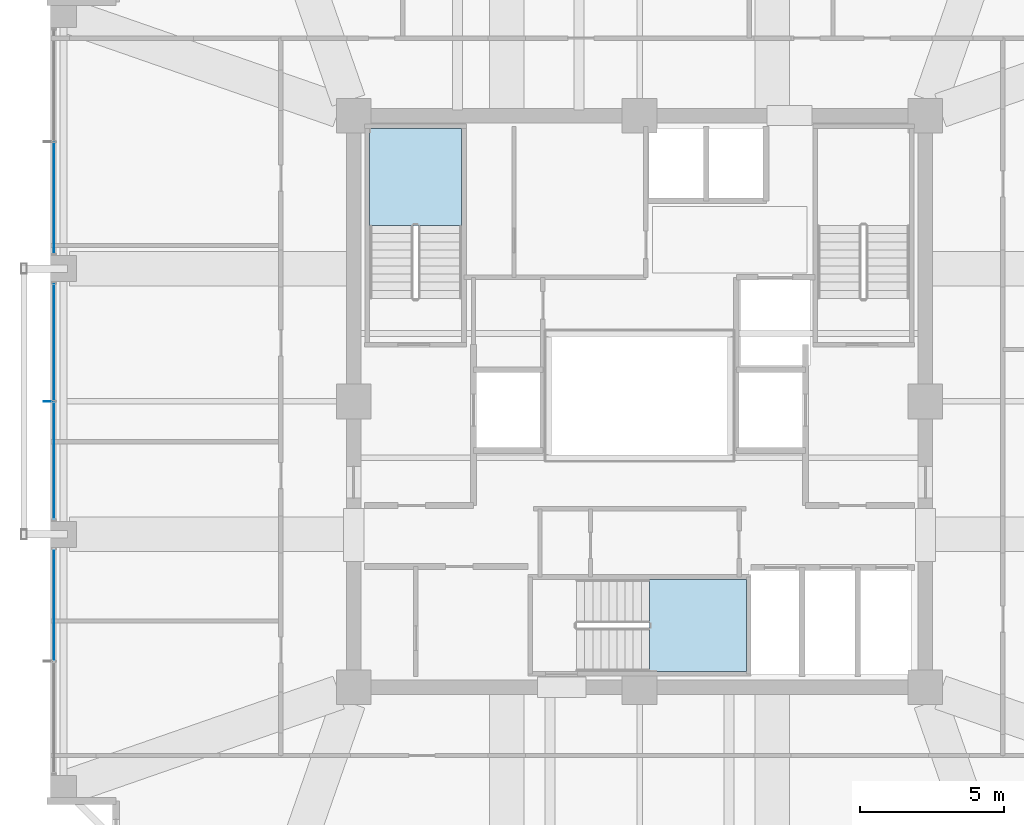
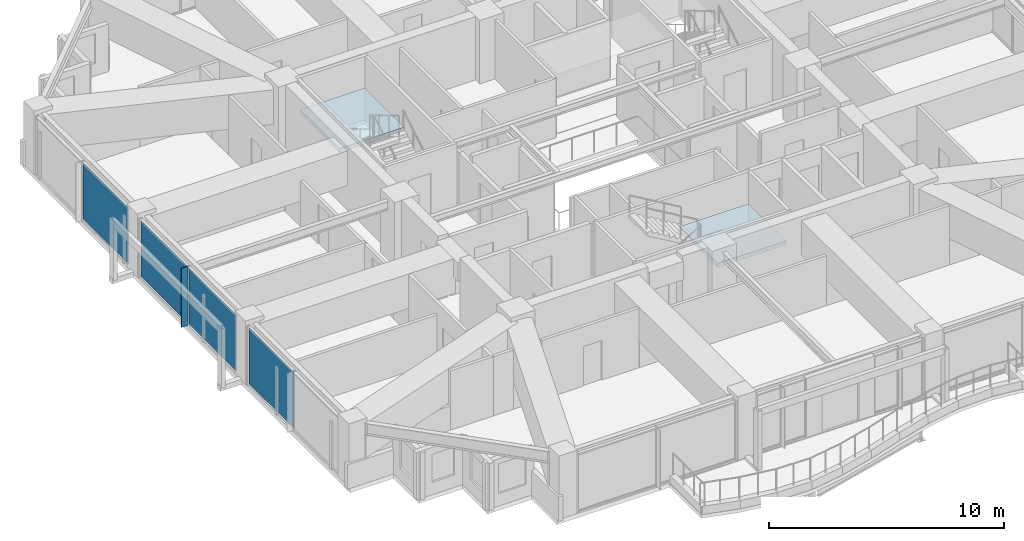
# One storey, part 26 of 37: 5 plates, 2 slabs, 5 elements without a shape of their own.
"""IFC4 building model written with IfcOpenShell, lengths in metres."""

from ifc_helpers import new_model, si_unit, direction, frame, origin, origin_2d, place, context, subcontext, project, spatial, polyline, rectangle, outline, extrude, material, layer, layer_set, type_object, element, aggregate, save


model = new_model("IFC4")

# Units and contexts
model_context = context("Model", 3, precision=1e-05, world=origin(), true_north=direction((0.0, 1.0)))
body_context = subcontext(model_context, "Body", "Model", "MODEL_VIEW")
ifc_project = project(units=[si_unit("LENGTHUNIT", "METRE"), si_unit("AREAUNIT", "SQUARE_METRE"), si_unit("VOLUMEUNIT", "CUBIC_METRE"), si_unit("PLANEANGLEUNIT", "RADIAN"), si_unit("MASSUNIT", "GRAM", prefix="KILO")], contexts=[model_context])

# Site, building, storey
site_placement = place(None, origin())
site = spatial("IfcSite", under=ifc_project, at=site_placement, CompositionType="ELEMENT")
building_placement = place(site_placement, origin())
building = spatial("IfcBuilding", under=site, at=building_placement, Name="Kolvaren Belvedere", CompositionType="ELEMENT")
storey_placement = place(building_placement, frame((0.0, 0.0, 186.60009765625)))
storey = spatial("IfcBuildingStorey", under=building, at=storey_placement, Name="L54", CompositionType="ELEMENT", Elevation=186.60009765625)

# Curtain wall, plate
ifc_material_1 = material(Name="Anodised pale-metal aluminium AA 6063-T6", Category="aluminium")
curtain_wall_type = type_object("IfcCurtainWallType", Name="CW-Z5-HIGH", PredefinedType="NOTDEFINED", material=ifc_material_1)
curtain_wall_1_placement = place(storey_placement, origin())
curtain_wall_1 = element("IfcCurtainWall", 1, at=curtain_wall_1_placement, inside=storey, type_object=curtain_wall_type, Name="L54 Unitised Curtain Wall FCW-L54-W-B1", PredefinedType="NOTDEFINED")
ifc_material_2 = material(Name="Low-iron triple insulated glass", Category="glass")
ifc_layer_1 = layer(ifc_material_2, 0.028076171875)
ifc_layer_set_1 = layer_set([ifc_layer_1], Name="Low-iron triple insulated glass")
plate_type_1 = type_object("IfcPlateType", Name="CW-PNL-VIS28", PredefinedType="CURTAIN_PANEL", material=ifc_layer_set_1)
plate_1_placement = place(storey_placement, frame((-20.280029296875, -7.052490234375, 0.079833984375), z_axis=(0.0, 0.0, 1.0), x_axis=(0.0, 1.0, 0.0)))
plate_1 = element("IfcPlate", 2, at=plate_1_placement, type_object=plate_type_1, Name="FCW-L54-W-B1 Vision Glazing Panel 2", PredefinedType="CURTAIN_PANEL", context=body_context, shape_type="SweptSolid", body=[
    extrude(rectangle(XDim=3.81494140625, YDim=0.028076171875, at=origin_2d()), origin(), (0.0, 0.0, 1.0), 2.919921875),
])
aggregate(curtain_wall_1, [plate_1])

# Curtain wall, plates
curtain_wall_2_placement = place(storey_placement, origin())
curtain_wall_2 = element("IfcCurtainWall", 3, at=curtain_wall_2_placement, inside=storey, type_object=curtain_wall_type, Name="L54 Unitised Curtain Wall FCW-L54-W-B2", PredefinedType="NOTDEFINED")
plate_2_placement = place(storey_placement, frame((-20.280029296875, -2.047607421875, 0.079833984375), z_axis=(0.0, 0.0, 1.0), x_axis=(0.0, 1.0, 0.0)))
plate_2 = element("IfcPlate", 4, at=plate_2_placement, type_object=plate_type_1, Name="FCW-L54-W-B2 Vision Glazing Panel 1", PredefinedType="CURTAIN_PANEL", context=body_context, shape_type="SweptSolid", body=[
    extrude(rectangle(XDim=4.014892578125, YDim=0.028076171875, at=origin_2d()), origin(), (0.0, 0.0, 1.0), 2.919921875),
])
plate_3_placement = place(storey_placement, frame((-20.280029296875, 2.047607421875, 0.079833984375), z_axis=(0.0, 0.0, 1.0), x_axis=(0.0, 1.0, 0.0)))
plate_3 = element("IfcPlate", 5, at=plate_3_placement, type_object=plate_type_1, Name="FCW-L54-W-B2 Vision Glazing Panel 2", PredefinedType="CURTAIN_PANEL", context=body_context, shape_type="SweptSolid", body=[
    extrude(rectangle(XDim=4.014892578125, YDim=0.028076171875, at=origin_2d()), origin(), (0.0, 0.0, 1.0), 2.919921875),
])
aggregate(curtain_wall_2, [plate_2, plate_3])

# Curtain wall, plate
curtain_wall_3_placement = place(storey_placement, origin())
curtain_wall_3 = element("IfcCurtainWall", 6, at=curtain_wall_3_placement, inside=storey, type_object=curtain_wall_type, Name="L54 Unitised Curtain Wall FCW-L54-W-B3", PredefinedType="NOTDEFINED")
plate_4_placement = place(storey_placement, frame((-20.280029296875, 7.052490234375, 0.079833984375), z_axis=(0.0, 0.0, 1.0), x_axis=(0.0, 1.0, 0.0)))
plate_4 = element("IfcPlate", 7, at=plate_4_placement, type_object=plate_type_1, Name="FCW-L54-W-B3 Vision Glazing Panel 1", PredefinedType="CURTAIN_PANEL", context=body_context, shape_type="SweptSolid", body=[
    extrude(rectangle(XDim=3.81494140625, YDim=0.028076171875, at=origin_2d()), origin(), (0.0, 0.0, 1.0), 2.919921875),
])
aggregate(curtain_wall_3, [plate_4])

# Plate
ifc_material_3 = material(Name="Anodised pale-metal aluminium AA 6063-T6", Category="aluminium")
ifc_layer_2 = layer(ifc_material_3, 0.030029296875)
ifc_layer_set_2 = layer_set([ifc_layer_2], Name="Anodised pale-metal aluminium AA 6063-T6")
plate_type_2 = type_object("IfcPlateType", Name="FIN-VERT-300", PredefinedType="USERDEFINED", material=ifc_layer_set_2)
plate_5_placement = place(storey_placement, frame((-20.489990234375, 0.0, -0.000244140625), z_axis=(0.0, 0.0, 1.0), x_axis=(1.0, 0.0, 0.0)))
element("IfcPlate", 8, at=plate_5_placement, inside=storey, type_object=plate_type_2, Name="L54 Pale-Metal Vertical Shading Fin FCW-L54-W-B2-1", ObjectType="VERTICAL FIN", PredefinedType="USERDEFINED", context=body_context, shape_type="SweptSolid", body=[
    extrude(rectangle(XDim=0.300048828125, YDim=0.030029296875, at=origin_2d()), origin(), (0.0, 0.0, 1.0), 3.080078125),
])

# Stair, slab
ifc_material_4 = material(Name="Concrete C50/60", Category="concrete")
stair_type = type_object("IfcStairType", Name="ST-CORE-1520", PredefinedType="HALF_TURN_STAIR", material=ifc_material_4)
stair_1_placement = place(storey_placement, origin())
stair_1 = element("IfcStair", 9, at=stair_1_placement, inside=storey, type_object=stair_type, Name="L54 Protected Exit Stair ST-1", PredefinedType="HALF_TURN_STAIR")
ifc_material_5 = material(Name="Concrete C50/60", Category="concrete")
ifc_layer_3 = layer(ifc_material_5, 0.260009765625)
ifc_layer_set_3 = layer_set([ifc_layer_3], Name="Concrete C50/60")
slab_type = type_object("IfcSlabType", Name="SL-LAND-260", PredefinedType="LANDING", material=ifc_layer_set_3)
slab_1_placement = place(storey_placement, frame((0.0, 0.0, 1.449951171875)))
slab_1 = element("IfcSlab", 10, at=slab_1_placement, type_object=slab_type, Name="ST-1 landing 1", PredefinedType="LANDING", context=body_context, shape_type="SweptSolid", body=[
    extrude(outline(polyline([(-6.159912109375, 6.090087890625), (-6.159912109375, 9.449951171875), (-9.35009765625, 9.449951171875), (-9.35009765625, 6.090087890625), (-6.159912109375, 6.090087890625)])), origin(), (0.0, 0.0, 1.0), 0.199951171875),
])
aggregate(stair_1, [slab_1])

stair_2_placement = place(storey_placement, origin())
stair_2 = element("IfcStair", 11, at=stair_2_placement, inside=storey, type_object=stair_type, Name="L54 Protected Exit Stair ST-3", PredefinedType="HALF_TURN_STAIR")
slab_2_placement = place(storey_placement, frame((0.0, 0.0, 1.449951171875)))
slab_2 = element("IfcSlab", 12, at=slab_2_placement, type_object=slab_type, Name="ST-3 landing 1", PredefinedType="LANDING", context=body_context, shape_type="SweptSolid", body=[
    extrude(outline(polyline([(0.340087890625, -9.35009765625), (3.699951171875, -9.35009765625), (3.699951171875, -6.159912109375), (0.340087890625, -6.159912109375), (0.340087890625, -9.35009765625)])), origin(), (0.0, 0.0, 1.0), 0.199951171875),
])
aggregate(stair_2, [slab_2])

save(model, "model.ifc")
